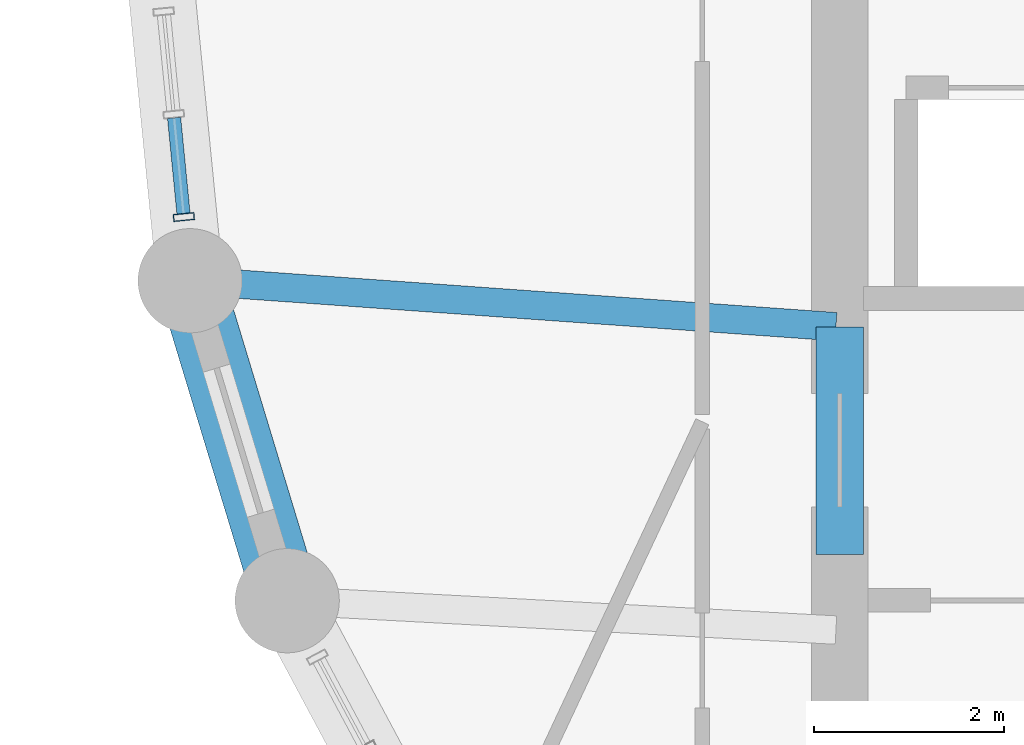
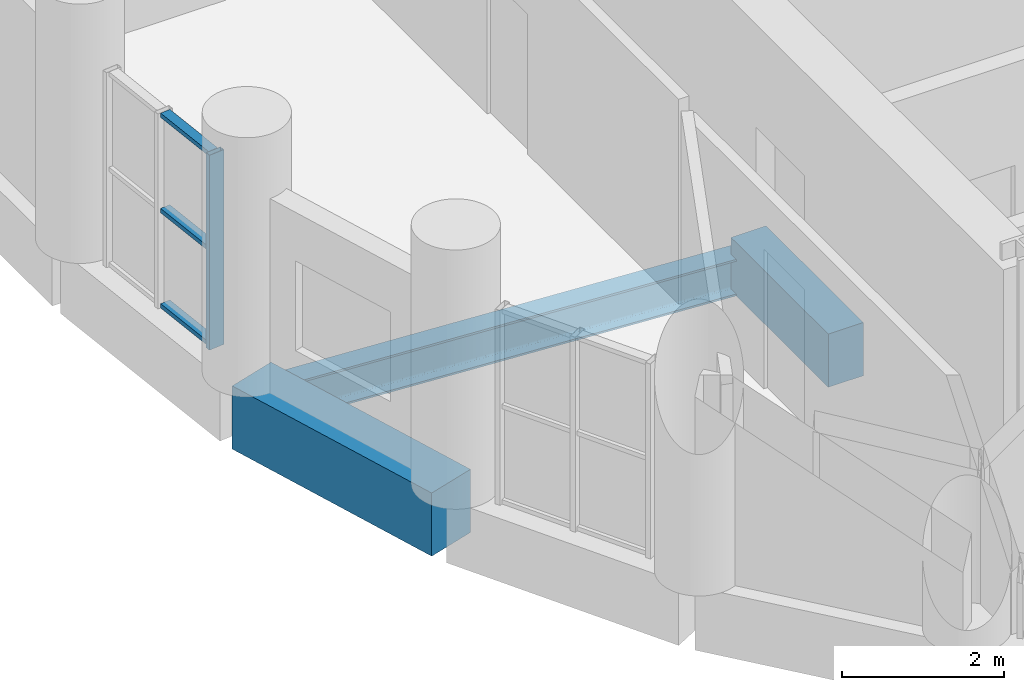
# One storey, part 3 of 13: 4 members, 3 beams, 1 element without a shape of its own.
"""IFC4 building model written with IfcOpenShell, lengths in metres."""

from ifc_helpers import new_model, si_unit, direction, frame, origin, origin_2d, place, context, subcontext, project, spatial, rectangle, hollow_rectangle, i_section, extrude, material, layer, layer_set, material_profile, profile_set, type_object, element, aggregate, save


model = new_model("IFC4")

# Units and contexts
model_context = context("Model", 3, precision=1e-05, world=origin(), true_north=direction((0.0, 1.0)))
body_context = subcontext(model_context, "Body", "Model", "MODEL_VIEW")
ifc_project = project(units=[si_unit("LENGTHUNIT", "METRE"), si_unit("AREAUNIT", "SQUARE_METRE"), si_unit("VOLUMEUNIT", "CUBIC_METRE"), si_unit("PLANEANGLEUNIT", "RADIAN"), si_unit("MASSUNIT", "GRAM", prefix="KILO")], contexts=[model_context])

# Site, building, storey
site_placement = place(None, origin())
site = spatial("IfcSite", under=ifc_project, at=site_placement, CompositionType="ELEMENT")
building_placement = place(site_placement, origin())
building = spatial("IfcBuilding", under=site, at=building_placement, Name="Solnavia Interchange Tower", CompositionType="ELEMENT")
storey_placement = place(building_placement, frame((0.0, 0.0, 51.300048828125)))
storey = spatial("IfcBuildingStorey", under=building, at=storey_placement, Name="L12", CompositionType="ELEMENT", Elevation=51.300048828125)

# Beams
ifc_material_1 = material(Name="Concrete C50/60", Category="concrete")
ifc_material_profile_1 = material_profile(ifc_material_1, rectangle(XDim=0.5, YDim=0.800048828125, at=origin_2d()), Name="RC 500x800")
ifc_profile_set_1 = profile_set([ifc_material_profile_1], Name="Concrete C50/60")
beam_type_1 = type_object("IfcBeamType", Name="Beam-Coupling-RC500x800", PredefinedType="LINTEL", material=ifc_profile_set_1)
beam_1_placement = place(storey_placement, frame((14.39990234375, 15.199951171875, -0.400146484375), z_axis=(0.0, 1.0, 0.0), x_axis=(-1.0, 0.0, 0.0)))
element("IfcBeam", 1, at=beam_1_placement, inside=storey, type_object=beam_type_1, Name="CPB-L12-W1 Core coupling lintel beam", PredefinedType="LINTEL", context=body_context, shape_type="SweptSolid", body=[
    extrude(rectangle(XDim=0.5, YDim=0.800048828125, at=origin_2d()), origin(), (0.0, 0.0, 1.0), 2.400146484375),
])
ifc_material_2 = material(Name="Steel S460", Category="steel")
ifc_material_profile_2 = material_profile(ifc_material_2, i_section(OverallWidth=0.300048828125, OverallDepth=0.550048828125, WebThickness=0.014892578125, FlangeThickness=0.029052734375, FilletRadius=0.027099609375, at=origin_2d()), Name="HEB 550")
ifc_profile_set_2 = profile_set([ifc_material_profile_2], Name="Steel S460")
beam_type_2 = type_object("IfcBeamType", Name="Beam-Girder-HEB550", PredefinedType="BEAM", material=ifc_profile_set_2)
beam_2_placement = place(storey_placement, frame((7.625732421875, 18.082275390625, -0.525146484375), z_axis=(0.99747482749, -0.071020902015, 0.0), x_axis=(0.071020902015, 0.99747482749, 0.0)))
element("IfcBeam", 2, at=beam_2_placement, inside=storey, type_object=beam_type_2, Name="GRD-L12-DR22 Drum radial floor girder", PredefinedType="BEAM", context=body_context, shape_type="SweptSolid", body=[
    extrude(i_section(OverallWidth=0.300048828125, OverallDepth=0.550048828125, WebThickness=0.014892578125, FlangeThickness=0.029052734375, FilletRadius=0.027099609375, at=origin_2d()), origin(), (0.0, 0.0, 1.0), 6.75146484375),
])
ifc_material_profile_3 = material_profile(ifc_material_1, rectangle(XDim=0.699951171875, YDim=0.949951171875, at=origin_2d()), Name="RC 700x950")
ifc_profile_set_3 = profile_set([ifc_material_profile_3], Name="Concrete C50/60")
beam_type_3 = type_object("IfcBeamType", Name="Beam-Spandrel-RC700x950", PredefinedType="SPANDREL", material=ifc_profile_set_3)
beam_3_placement = place(storey_placement, frame((7.569091796875, 18.011474609375, -0.47509765625), z_axis=(0.290319223646, -0.956929855518, 0.0), x_axis=(0.956929855518, 0.290319223646, 0.0)))
element("IfcBeam", 3, at=beam_3_placement, inside=storey, type_object=beam_type_3, Name="SPB-L12-02 Framed-tube perimeter spandrel beam", PredefinedType="SPANDREL", context=body_context, shape_type="SweptSolid", body=[
    extrude(rectangle(XDim=0.699951171875, YDim=0.949951171875, at=origin_2d()), origin(), (0.0, 0.0, 1.0), 3.367919921875),
])

# Curtain wall, members
ifc_material_3 = material(Name="Aluminium Alloy 6063-T6", Category="aluminium")
ifc_layer = layer(ifc_material_3, 0.239990234375)
ifc_layer_set = layer_set([ifc_layer], Name="Aluminium Alloy 6063-T6")
curtain_wall_type = type_object("IfcCurtainWallType", Name="CurtainWall-Drum-CTW2", PredefinedType="NOTDEFINED", material=ifc_layer_set)
curtain_wall_placement = place(storey_placement, origin())
curtain_wall = element("IfcCurtainWall", 4, at=curtain_wall_placement, inside=storey, type_object=curtain_wall_type, Name="CTW-L12-D59 CTW-2 curtain wall", PredefinedType="NOTDEFINED")
ifc_material_profile_4 = material_profile(ifc_material_3, hollow_rectangle(XDim=0.074951171875, YDim=0.219970703125, WallThickness=0.0048828125, at=origin_2d()), Name="ALU 220x75x5")
ifc_profile_set_4 = profile_set([ifc_material_profile_4], Name="Aluminium Alloy 6063-T6")
member_type_1 = type_object("IfcMemberType", Name="CW-Mullion-CWM-2", PredefinedType="MULLION", material=ifc_profile_set_4)
member_1_placement = place(storey_placement, frame((7.479736328125, 18.759765625, 0.0), z_axis=(0.0, 0.0, 1.0), x_axis=(0.098045297616, -0.995181953019, 0.0)))
member_1 = element("IfcMember", 5, at=member_1_placement, type_object=member_type_1, Name="CTW-2 mullion 3", PredefinedType="MULLION", context=body_context, shape_type="SweptSolid", body=[
    extrude(hollow_rectangle(XDim=0.074951171875, YDim=0.219970703125, WallThickness=0.0048828125, at=origin_2d()), origin(), (0.0, 0.0, 1.0), 2.929931640625),
])
ifc_material_profile_5 = material_profile(ifc_material_3, hollow_rectangle(XDim=0.06494140625, YDim=0.139892578125, WallThickness=0.00390625, at=origin_2d()), Name="ALU 140x65x4")
ifc_profile_set_5 = profile_set([ifc_material_profile_5], Name="Aluminium Alloy 6063-T6")
member_type_2 = type_object("IfcMemberType", Name="CW-Transom-CWT-2", PredefinedType="USERDEFINED", material=ifc_profile_set_5)
member_2_placement = place(storey_placement, frame((7.376708984375, 19.806640625, 0.032470703125), z_axis=(0.097954700343, -0.995190874496, 0.0), x_axis=(0.0, 0.0, 1.0)))
member_2 = element("IfcMember", 6, at=member_2_placement, type_object=member_type_2, Name="CTW-2 transom 2.1", ObjectType="TRANSOM", PredefinedType="USERDEFINED", context=body_context, shape_type="SweptSolid", body=[
    extrude(hollow_rectangle(XDim=0.06494140625, YDim=0.139892578125, WallThickness=0.00390625, at=origin_2d()), origin(), (0.0, 0.0, 1.0), 1.014404296875),
])
member_3_placement = place(storey_placement, frame((7.376708984375, 19.806640625, 1.46484375), z_axis=(0.097954700343, -0.995190874496, 0.0), x_axis=(0.0, 0.0, 1.0)))
member_3 = element("IfcMember", 7, at=member_3_placement, type_object=member_type_2, Name="CTW-2 transom 2.2", ObjectType="TRANSOM", PredefinedType="USERDEFINED", context=body_context, shape_type="SweptSolid", body=[
    extrude(hollow_rectangle(XDim=0.06494140625, YDim=0.139892578125, WallThickness=0.00390625, at=origin_2d()), origin(), (0.0, 0.0, 1.0), 1.014404296875),
])
member_4_placement = place(storey_placement, frame((7.376708984375, 19.806640625, 2.8974609375), z_axis=(0.097954700343, -0.995190874496, 0.0), x_axis=(0.0, 0.0, 1.0)))
member_4 = element("IfcMember", 8, at=member_4_placement, type_object=member_type_2, Name="CTW-2 transom 2.3", ObjectType="TRANSOM", PredefinedType="USERDEFINED", context=body_context, shape_type="SweptSolid", body=[
    extrude(hollow_rectangle(XDim=0.06494140625, YDim=0.139892578125, WallThickness=0.00390625, at=origin_2d()), origin(), (0.0, 0.0, 1.0), 1.014404296875),
])
aggregate(curtain_wall, [member_1, member_2, member_3, member_4])

save(model, "model.ifc")
